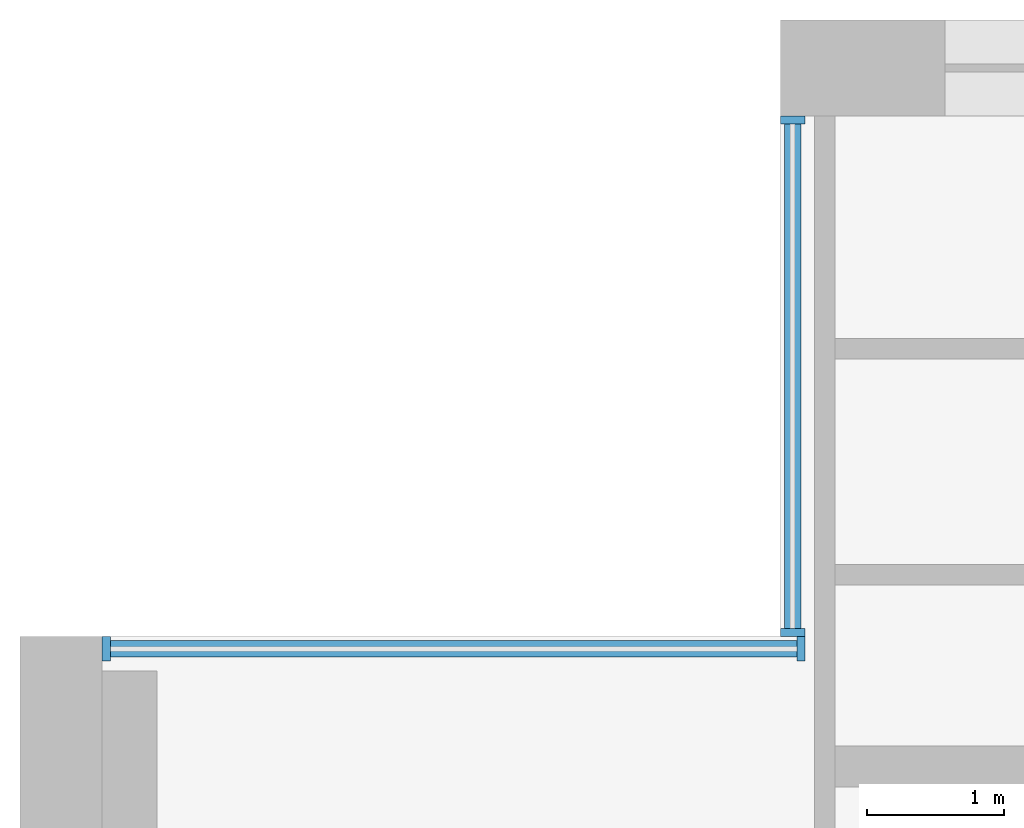
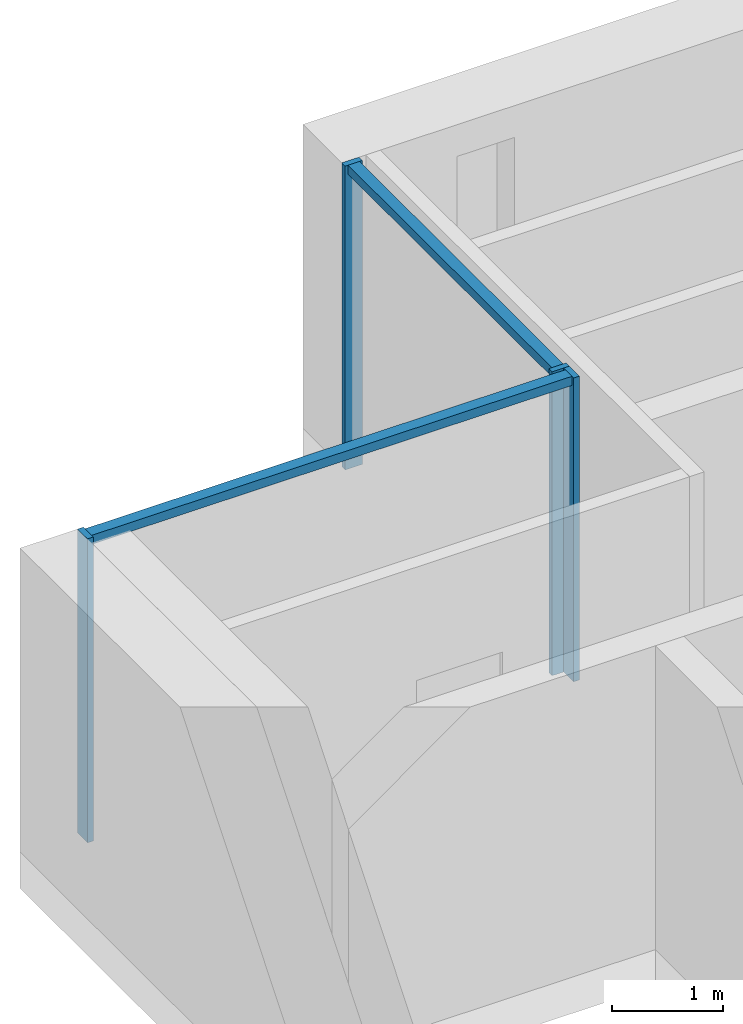
# One storey, part 4 of 17: 6 members, 2 elements without a shape of their own.
"""IFC4 building model written with IfcOpenShell, lengths in metres."""

from ifc_helpers import new_model, si_unit, direction, frame, origin, origin_2d, place, context, subcontext, project, spatial, rectangle, extrude, material, material_profile, profile_set, type_object, element, aggregate, save


model = new_model("IFC4")

# Units and contexts
model_context = context("Model", 3, precision=1e-05, world=origin(), true_north=direction((0.0, 1.0)))
body_context = subcontext(model_context, "Body", "Model", "MODEL_VIEW")
ifc_project = project(units=[si_unit("LENGTHUNIT", "METRE"), si_unit("AREAUNIT", "SQUARE_METRE"), si_unit("VOLUMEUNIT", "CUBIC_METRE"), si_unit("PLANEANGLEUNIT", "RADIAN"), si_unit("MASSUNIT", "GRAM", prefix="KILO")], contexts=[model_context])

# Site, building, storey
site_placement = place(None, origin())
site = spatial("IfcSite", under=ifc_project, at=site_placement, CompositionType="ELEMENT")
building_placement = place(site_placement, origin())
building = spatial("IfcBuilding", under=site, at=building_placement, Name="Calvaro Tower", CompositionType="ELEMENT")
storey_placement = place(building_placement, frame((0.0, 0.0, 170.5)))
storey = spatial("IfcBuildingStorey", under=building, at=storey_placement, Name="L42", CompositionType="ELEMENT", Elevation=170.5)

# Curtain wall, members
ifc_material_1 = material(Name="Anodised aluminium", Category="aluminium")
curtain_wall_type = type_object("IfcCurtainWallType", Name="Office curtain wall, upper zone", PredefinedType="NOTDEFINED", material=ifc_material_1)
curtain_wall_1_placement = place(storey_placement, origin())
curtain_wall_1 = element("IfcCurtainWall", 1, at=curtain_wall_1_placement, inside=storey, type_object=curtain_wall_type, Name="CW3 corner curtain wall", PredefinedType="NOTDEFINED")
ifc_material_2 = material(Name="Anodised aluminium", Category="aluminium")
ifc_material_profile_1 = material_profile(ifc_material_2, rectangle(XDim=0.179931640625, YDim=0.06005859375, at=origin_2d()), Name="Mullion S3 60 x 180")
ifc_profile_set_1 = profile_set([ifc_material_profile_1], Name="Anodised aluminium")
member_type_1 = type_object("IfcMemberType", Name="Mullion S3 60 x 180", PredefinedType="MULLION", material=ifc_profile_set_1)
member_1_placement = place(storey_placement, frame((11.639892578125, 41.530029296875, 0.0), z_axis=(0.0, 0.0, 1.0), x_axis=(-1.0, 0.0, 0.0)))
member_1 = element("IfcMember", 2, at=member_1_placement, type_object=member_type_1, Name="CW3 mullion 1", PredefinedType="MULLION", context=body_context, shape_type="SweptSolid", body=[
    extrude(rectangle(XDim=0.179931640625, YDim=0.06005859375, at=origin_2d()), origin(), (0.0, 0.0, 1.0), 3.35009765625),
])
member_2_placement = place(storey_placement, frame((11.639892578125, 45.27001953125, 0.0), z_axis=(0.0, 0.0, 1.0), x_axis=(-1.0, 0.0, 0.0)))
member_2 = element("IfcMember", 3, at=member_2_placement, type_object=member_type_1, Name="CW3 mullion 2", PredefinedType="MULLION", context=body_context, shape_type="SweptSolid", body=[
    extrude(rectangle(XDim=0.179931640625, YDim=0.06005859375, at=origin_2d()), origin(), (0.0, 0.0, 1.0), 3.35009765625),
])

curtain_wall_2_placement = place(storey_placement, origin())
curtain_wall_2 = element("IfcCurtainWall", 4, at=curtain_wall_2_placement, inside=storey, type_object=curtain_wall_type, Name="CW3 corner curtain wall", PredefinedType="NOTDEFINED")
member_3_placement = place(storey_placement, frame((6.6298828125, 41.409912109375, 0.0), z_axis=(0.0, 0.0, 1.0), x_axis=(0.0, 1.0, 0.0)))
member_3 = element("IfcMember", 5, at=member_3_placement, type_object=member_type_1, Name="CW3 mullion 1", PredefinedType="MULLION", context=body_context, shape_type="SweptSolid", body=[
    extrude(rectangle(XDim=0.179931640625, YDim=0.06005859375, at=origin_2d()), origin(), (0.0, 0.0, 1.0), 3.35009765625),
])
member_4_placement = place(storey_placement, frame((11.699951171875, 41.409912109375, 0.0), z_axis=(0.0, 0.0, 1.0), x_axis=(0.0, 1.0, 0.0)))
member_4 = element("IfcMember", 6, at=member_4_placement, type_object=member_type_1, Name="CW3 mullion 2", PredefinedType="MULLION", context=body_context, shape_type="SweptSolid", body=[
    extrude(rectangle(XDim=0.179931640625, YDim=0.06005859375, at=origin_2d()), origin(), (0.0, 0.0, 1.0), 3.35009765625),
])

# Member
ifc_material_3 = material(Name="Anodised aluminium", Category="aluminium")
ifc_material_profile_2 = material_profile(ifc_material_3, rectangle(XDim=0.1201171875, YDim=0.10009765625, at=origin_2d()), Name="Transom S3 100 x 120")
ifc_profile_set_2 = profile_set([ifc_material_profile_2], Name="Anodised aluminium")
member_type_2 = type_object("IfcMemberType", Name="Transom S3 100 x 120", PredefinedType="USERDEFINED", material=ifc_profile_set_2)
member_5_placement = place(storey_placement, frame((11.639892578125, 41.56005859375, 3.300048828125), z_axis=(0.0, 1.0, 0.0), x_axis=(-1.0, 0.0, 0.0)))
member_5 = element("IfcMember", 7, at=member_5_placement, type_object=member_type_2, Name="CW3 transom 1.1", ObjectType="TRANSOM", PredefinedType="USERDEFINED", context=body_context, shape_type="SweptSolid", body=[
    extrude(rectangle(XDim=0.1201171875, YDim=0.10009765625, at=origin_2d()), origin(), (0.0, 0.0, 1.0), 3.679931640625),
])

aggregate(curtain_wall_1, [member_1, member_2, member_5])

member_6_placement = place(storey_placement, frame((6.659912109375, 41.409912109375, 3.300048828125), z_axis=(1.0, 0.0, 0.0), x_axis=(0.0, 1.0, 0.0)))
member_6 = element("IfcMember", 8, at=member_6_placement, type_object=member_type_2, Name="CW3 transom 1.1", ObjectType="TRANSOM", PredefinedType="USERDEFINED", context=body_context, shape_type="SweptSolid", body=[
    extrude(rectangle(XDim=0.1201171875, YDim=0.10009765625, at=origin_2d()), origin(), (0.0, 0.0, 1.0), 5.010009765625),
])

aggregate(curtain_wall_2, [member_3, member_4, member_6])

save(model, "model.ifc")
